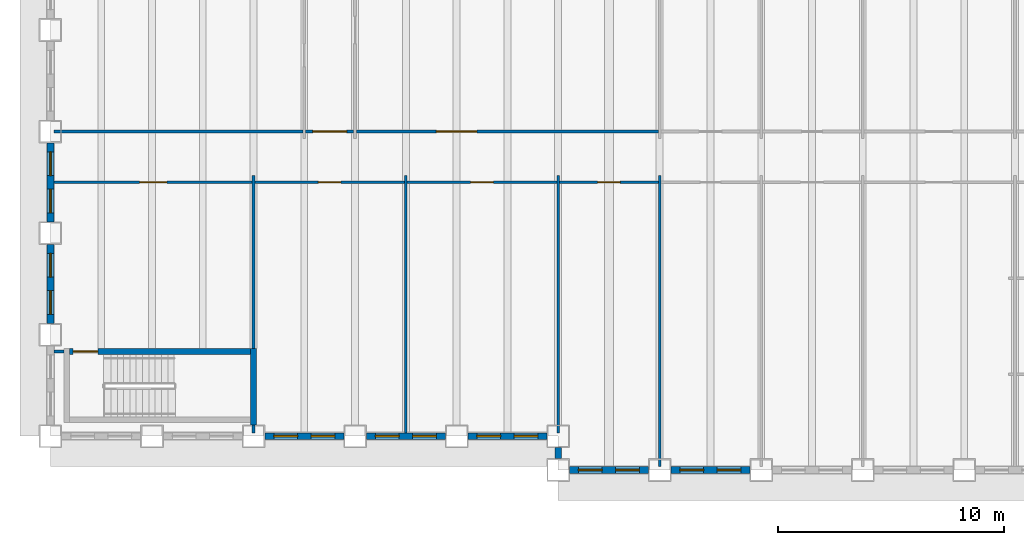
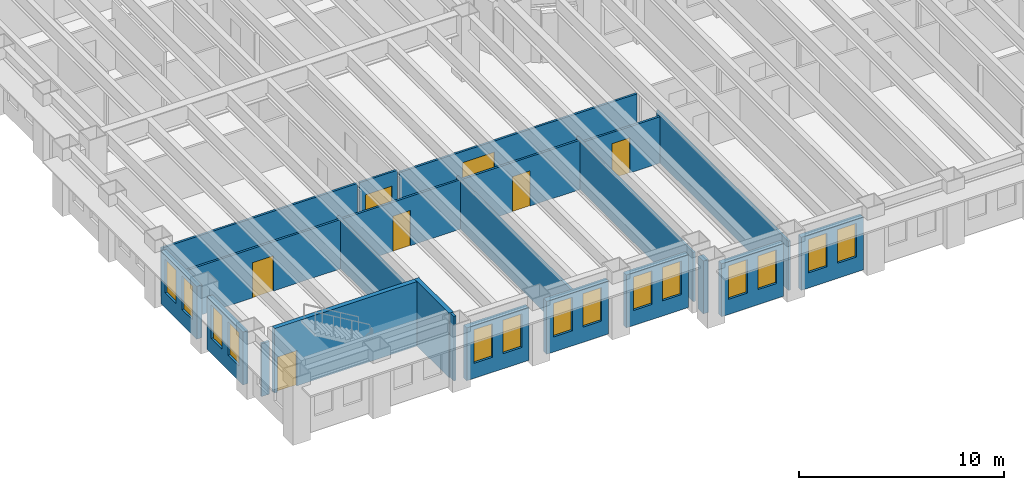
# One storey, part 3 of 16: 23 walls, 14 windows, 7 doors, 21 openings.
"""IFC4 building model written with IfcOpenShell, lengths in metres."""

from ifc_helpers import new_model, si_unit, direction, frame, frame_2d, origin, place, context, subcontext, project, spatial, rectangle, extrude, material, layer, layer_set, type_object, element, fill, save


model = new_model("IFC4")

# Units and contexts
model_context = context("Model", 3, precision=1e-05, world=origin(), true_north=direction((0.0, 1.0)))
body_context = subcontext(model_context, "Body", "Model", "MODEL_VIEW")
ifc_project = project(units=[si_unit("LENGTHUNIT", "METRE"), si_unit("AREAUNIT", "SQUARE_METRE"), si_unit("VOLUMEUNIT", "CUBIC_METRE"), si_unit("PLANEANGLEUNIT", "RADIAN"), si_unit("MASSUNIT", "GRAM", prefix="KILO")], contexts=[model_context])

# Site, building, storey
site_placement = place(None, origin())
site = spatial("IfcSite", under=ifc_project, at=site_placement, CompositionType="ELEMENT")
building_placement = place(site_placement, origin())
building = spatial("IfcBuilding", under=site, at=building_placement, Name="Sennacour Bend Tower", CompositionType="ELEMENT")
storey_placement = place(building_placement, frame((0.0, 0.0, 91.0)))
storey = spatial("IfcBuildingStorey", under=building, at=storey_placement, Name="L20", CompositionType="ELEMENT", Elevation=91.0)

# Walls
ifc_material_1 = material(Name="Plasterboard partition on steel studs", Category="steel")
ifc_layer_1 = layer(ifc_material_1, 0.1201171875, Name="Plasterboard partition on steel studs", Category="steel")
ifc_layer_set_1 = layer_set([ifc_layer_1], Name="Plasterboard partition on steel studs")
wall_type_1 = type_object("IfcWallType", Name="Partition 120", PredefinedType="PARTITIONING", material=ifc_layer_set_1)
wall_1_placement = place(storey_placement, frame((9.0, 0.14990234375, 0.0), z_axis=(0.0, 0.0, 1.0), x_axis=(0.0, 1.0, 0.0)))
element("IfcWall", 1, at=wall_1_placement, inside=storey, type_object=wall_type_1, Name="P-L20-W010a", PredefinedType="PARTITIONING", context=body_context, shape_type="SweptSolid", body=[
    extrude(rectangle(XDim=0.35009765625, YDim=0.1201171875, at=frame_2d((0.175048828125, 0.0))), origin(), (0.0, 0.0, 1.0), 3.85009765625),
])
wall_2_placement = place(storey_placement, frame((9.0, 3.875, 0.0), z_axis=(0.0, 0.0, 1.0), x_axis=(0.0, 1.0, 0.0)))
element("IfcWall", 2, at=wall_2_placement, inside=storey, type_object=wall_type_1, Name="P-L20-W012a", PredefinedType="PARTITIONING", context=body_context, shape_type="SweptSolid", body=[
    extrude(rectangle(XDim=7.675048828125, YDim=0.1201171875, at=frame_2d((3.83740234375, 0.0))), origin(), (0.0, 0.0, 1.0), 2.93798828125),
])
for number, where, z_axis, x_axis, name in (
    (3, (15.75, 0.14990234375, 0.0), (0.0, 0.0, 1.0), (0.0, 1.0, 0.0), "P-L20-W020a"),
    (4, (22.5, 0.14990234375, 0.0), (0.0, 0.0, 1.0), (0.0, 1.0, 0.0), "P-L20-W024a"),
):
    element("IfcWall", number, at=place(storey_placement, frame(where, z_axis=z_axis, x_axis=x_axis)), inside=storey, type_object=wall_type_1, Name=name, PredefinedType="PARTITIONING", context=body_context, shape_type="SweptSolid", body=[
        extrude(rectangle(XDim=11.400146484375, YDim=0.1201171875, at=frame_2d((5.7001953125, 0.0))), origin(), (0.0, 0.0, 1.0), 2.93798828125),
    ])
wall_3_placement = place(storey_placement, frame((27.0, -1.35009765625, 0.0), z_axis=(0.0, 0.0, 1.0), x_axis=(0.0, 1.0, 0.0)))
element("IfcWall", 5, at=wall_3_placement, inside=storey, type_object=wall_type_1, Name="P-L20-W026a", PredefinedType="PARTITIONING", context=body_context, shape_type="SweptSolid", body=[
    extrude(rectangle(XDim=12.900146484375, YDim=0.1201171875, at=frame_2d((6.4501953125, 0.0))), origin(), (0.0, 0.0, 1.0), 2.93798828125),
])
wall_4_placement = place(storey_placement, frame((0.14990234375, 3.75, 0.0), z_axis=(0.0, 0.0, 1.0), x_axis=(1.0, 0.0, 0.0)))
element("IfcWall", 6, at=wall_4_placement, inside=storey, type_object=wall_type_1, Name="P-L20-W050a", PredefinedType="PARTITIONING", context=body_context, shape_type="SweptSolid", body=[
    extrude(rectangle(XDim=0.4501953125, YDim=0.1201171875, at=frame_2d((0.22509765625, 0.0))), origin(), (0.0, 0.0, 1.0), 3.154052734375),
])

# Wall, opening, door
wall_5_placement = place(storey_placement, frame((9.06005859375, 11.25, 0.0), z_axis=(0.0, 0.0, 1.0), x_axis=(1.0, 0.0, 0.0)))
wall_5 = element("IfcWall", 7, at=wall_5_placement, inside=storey, type_object=wall_type_1, Name="P-L20-W058ab", PredefinedType="PARTITIONING", context=body_context, shape_type="SweptSolid", body=[
    extrude(rectangle(XDim=6.6298828125, YDim=0.1201171875, at=frame_2d((3.31494140625, 0.0))), origin(), (0.0, 0.0, 1.0), 2.93798828125),
])
opening_1_placement = place(wall_5_placement, frame((2.81494140625, 0.0, 0.0)))
opening_1 = element("IfcOpeningElement", 8, at=opening_1_placement, cuts=wall_5, Name="Opening OD2", PredefinedType="OPENING", context=body_context, shape_type="SweptSolid", body=[
    extrude(rectangle(XDim=1.0, YDim=2.10009765625, at=frame_2d((0.5, 1.050048828125))), frame((0.0, 0.070068359375, 0.0), z_axis=(0.0, -1.0, 0.0), x_axis=(1.0, 0.0, 0.0)), (0.0, 0.0, 1.0), 0.14013671875),
])
ifc_material_2 = material(Name="Timber", Category="wood")
door_type_1 = type_object("IfcDoorType", Name="DR-OFFICE-1000", OperationType="NOTDEFINED", PredefinedType="DOOR", material=ifc_material_2)
door_1_placement = place(opening_1_placement, origin())
door_1 = element("IfcDoor", 9, at=door_1_placement, inside=storey, type_object=door_type_1, Name="Door", OperationType="SINGLE_SWING_LEFT", OverallHeight=2.10009765625, OverallWidth=1.0, PredefinedType="DOOR", context=body_context, shape_type="SweptSolid", body=[
    extrude(rectangle(XDim=1.0, YDim=2.10009765625, at=frame_2d((0.5, 1.050048828125))), frame((0.0, 0.02490234375, 0.0), z_axis=(0.0, -1.0, 0.0), x_axis=(1.0, 0.0, 0.0)), (0.0, 0.0, 1.0), 0.050048828125),
])
fill(opening_1, door_1)

wall_6_placement = place(storey_placement, frame((15.81005859375, 11.25, 0.0), z_axis=(0.0, 0.0, 1.0), x_axis=(1.0, 0.0, 0.0)))
wall_6 = element("IfcWall", 10, at=wall_6_placement, inside=storey, type_object=wall_type_1, Name="P-L20-W058ac", PredefinedType="PARTITIONING", context=body_context, shape_type="SweptSolid", body=[
    extrude(rectangle(XDim=6.6298828125, YDim=0.1201171875, at=frame_2d((3.31494140625, 0.0))), origin(), (0.0, 0.0, 1.0), 2.93798828125),
])
opening_2_placement = place(wall_6_placement, frame((2.81494140625, 0.0, 0.0)))
opening_2 = element("IfcOpeningElement", 11, at=opening_2_placement, cuts=wall_6, Name="Opening OD2", PredefinedType="OPENING", context=body_context, shape_type="SweptSolid", body=[
    extrude(rectangle(XDim=1.0, YDim=2.10009765625, at=frame_2d((0.5, 1.050048828125))), frame((0.0, 0.070068359375, 0.0), z_axis=(0.0, -1.0, 0.0), x_axis=(1.0, 0.0, 0.0)), (0.0, 0.0, 1.0), 0.14013671875),
])
door_2_placement = place(opening_2_placement, origin())
door_2 = element("IfcDoor", 12, at=door_2_placement, inside=storey, type_object=door_type_1, Name="Door", OperationType="SINGLE_SWING_LEFT", OverallHeight=2.10009765625, OverallWidth=1.0, PredefinedType="DOOR", context=body_context, shape_type="SweptSolid", body=[
    extrude(rectangle(XDim=1.0, YDim=2.10009765625, at=frame_2d((0.5, 1.050048828125))), frame((0.0, 0.02490234375, 0.0), z_axis=(0.0, -1.0, 0.0), x_axis=(1.0, 0.0, 0.0)), (0.0, 0.0, 1.0), 0.050048828125),
])
fill(opening_2, door_2)

wall_7_placement = place(storey_placement, frame((22.56005859375, 11.25, 0.0), z_axis=(0.0, 0.0, 1.0), x_axis=(1.0, 0.0, 0.0)))
wall_7 = element("IfcWall", 13, at=wall_7_placement, inside=storey, type_object=wall_type_1, Name="P-L20-W058ad", PredefinedType="PARTITIONING", context=body_context, shape_type="SweptSolid", body=[
    extrude(rectangle(XDim=4.3798828125, YDim=0.1201171875, at=frame_2d((2.18994140625, 0.0))), origin(), (0.0, 0.0, 1.0), 2.760009765625),
])
opening_3_placement = place(wall_7_placement, frame((1.68994140625, 0.0, 0.0)))
opening_3 = element("IfcOpeningElement", 14, at=opening_3_placement, cuts=wall_7, Name="Opening OD2", PredefinedType="OPENING", context=body_context, shape_type="SweptSolid", body=[
    extrude(rectangle(XDim=1.0, YDim=2.10009765625, at=frame_2d((0.5, 1.050048828125))), frame((0.0, 0.070068359375, 0.0), z_axis=(0.0, -1.0, 0.0), x_axis=(1.0, 0.0, 0.0)), (0.0, 0.0, 1.0), 0.14013671875),
])
door_3_placement = place(opening_3_placement, origin())
door_3 = element("IfcDoor", 15, at=door_3_placement, inside=storey, type_object=door_type_1, Name="Door", OperationType="SINGLE_SWING_LEFT", OverallHeight=2.10009765625, OverallWidth=1.0, PredefinedType="DOOR", context=body_context, shape_type="SweptSolid", body=[
    extrude(rectangle(XDim=1.0, YDim=2.10009765625, at=frame_2d((0.5, 1.050048828125))), frame((0.0, 0.02490234375, 0.0), z_axis=(0.0, -1.0, 0.0), x_axis=(1.0, 0.0, 0.0)), (0.0, 0.0, 1.0), 0.050048828125),
])
fill(opening_3, door_3)

# Wall
wall_8_placement = place(storey_placement, frame((0.14990234375, 13.5, 0.0), z_axis=(0.0, 0.0, 1.0), x_axis=(1.0, 0.0, 0.0)))
element("IfcWall", 16, at=wall_8_placement, inside=storey, type_object=wall_type_1, Name="P-L20-W060aa", PredefinedType="PARTITIONING", context=body_context, shape_type="SweptSolid", body=[
    extrude(rectangle(XDim=11.0400390625, YDim=0.1201171875, at=frame_2d((5.52001953125, 0.0))), origin(), (0.0, 0.0, 1.0), 2.93798828125),
])

# Wall, opening, door
wall_9_placement = place(storey_placement, frame((13.56005859375, 13.5, 0.0), z_axis=(0.0, 0.0, 1.0), x_axis=(1.0, 0.0, 0.0)))
wall_9 = element("IfcWall", 17, at=wall_9_placement, inside=storey, type_object=wall_type_1, Name="P-L20-W060ac", PredefinedType="PARTITIONING", context=body_context, shape_type="SweptSolid", body=[
    extrude(rectangle(XDim=13.3798828125, YDim=0.1201171875, at=frame_2d((6.68994140625, 0.0))), origin(), (0.0, 0.0, 1.0), 2.760009765625),
])
opening_4_placement = place(wall_9_placement, frame((3.539794921875, 0.0, 0.0)))
opening_4 = element("IfcOpeningElement", 18, at=opening_4_placement, cuts=wall_9, Name="Opening OD3", PredefinedType="OPENING", context=body_context, shape_type="SweptSolid", body=[
    extrude(rectangle(XDim=1.800048828125, YDim=2.10009765625, at=frame_2d((0.89990234375, 1.050048828125))), frame((0.0, 0.070068359375, 0.0), z_axis=(0.0, -1.0, 0.0), x_axis=(1.0, 0.0, 0.0)), (0.0, 0.0, 1.0), 0.14013671875),
])
door_type_2 = type_object("IfcDoorType", Name="DR-OFFICE-1800", OperationType="NOTDEFINED", PredefinedType="DOOR", material=ifc_material_2)
door_4_placement = place(opening_4_placement, origin())
door_4 = element("IfcDoor", 19, at=door_4_placement, inside=storey, type_object=door_type_2, Name="Door", OperationType="DOUBLE_DOOR_SINGLE_SWING", OverallHeight=2.10009765625, OverallWidth=1.800048828125, PredefinedType="DOOR", context=body_context, shape_type="SweptSolid", body=[
    extrude(rectangle(XDim=1.800048828125, YDim=2.10009765625, at=frame_2d((0.89990234375, 1.050048828125))), frame((0.0, 0.02490234375, 0.0), z_axis=(0.0, -1.0, 0.0), x_axis=(1.0, 0.0, 0.0)), (0.0, 0.0, 1.0), 0.050048828125),
])
fill(opening_4, door_4)

ifc_layer_2 = layer(ifc_material_1, 0.1201171875, Name="Plasterboard partition on steel studs", Category="steel")
ifc_layer_set_2 = layer_set([ifc_layer_2], Name="Plasterboard partition on steel studs")
wall_type_2 = type_object("IfcWallType", Name="Partition 120 EI 30", PredefinedType="PARTITIONING", material=ifc_layer_set_2)
wall_10_placement = place(storey_placement, frame((0.14990234375, 11.25, 0.0), z_axis=(0.0, 0.0, 1.0), x_axis=(1.0, 0.0, 0.0)))
wall_10 = element("IfcWall", 20, at=wall_10_placement, inside=storey, type_object=wall_type_2, Name="P-L20-W058aa", PredefinedType="PARTITIONING", context=body_context, shape_type="SweptSolid", body=[
    extrude(rectangle(XDim=8.7900390625, YDim=0.1201171875, at=frame_2d((4.39501953125, 0.0))), origin(), (0.0, 0.0, 1.0), 2.93798828125),
])
opening_5_placement = place(wall_10_placement, frame((3.80517578125, 0.0, 0.0)))
opening_5 = element("IfcOpeningElement", 21, at=opening_5_placement, cuts=wall_10, Name="Opening KD2", PredefinedType="OPENING", context=body_context, shape_type="SweptSolid", body=[
    extrude(rectangle(XDim=1.199951171875, YDim=2.10009765625, at=frame_2d((0.60009765625, 1.050048828125))), frame((0.0, 0.070068359375, 0.0), z_axis=(0.0, -1.0, 0.0), x_axis=(1.0, 0.0, 0.0)), (0.0, 0.0, 1.0), 0.14013671875),
])
ifc_material_3 = material(Name="Painted steel", Category="steel")
door_type_3 = type_object("IfcDoorType", Name="DR-CORRIDOR-1200", OperationType="NOTDEFINED", PredefinedType="DOOR", material=ifc_material_3)
door_5_placement = place(opening_5_placement, origin())
door_5 = element("IfcDoor", 22, at=door_5_placement, inside=storey, type_object=door_type_3, Name="Door", OperationType="SINGLE_SWING_LEFT", OverallHeight=2.10009765625, OverallWidth=1.199951171875, PredefinedType="DOOR", context=body_context, shape_type="SweptSolid", body=[
    extrude(rectangle(XDim=1.199951171875, YDim=2.10009765625, at=frame_2d((0.60009765625, 1.050048828125))), frame((0.0, 0.02490234375, 0.0), z_axis=(0.0, -1.0, 0.0), x_axis=(1.0, 0.0, 0.0)), (0.0, 0.0, 1.0), 0.050048828125),
])
fill(opening_5, door_5)

wall_11_placement = place(storey_placement, frame((11.31005859375, 13.5, 0.0), z_axis=(0.0, 0.0, 1.0), x_axis=(1.0, 0.0, 0.0)))
wall_11 = element("IfcWall", 23, at=wall_11_placement, inside=storey, type_object=wall_type_2, Name="P-L20-W060ab", PredefinedType="PARTITIONING", context=body_context, shape_type="SweptSolid", body=[
    extrude(rectangle(XDim=2.1298828125, YDim=0.1201171875, at=frame_2d((1.06494140625, 0.0))), origin(), (0.0, 0.0, 1.0), 2.93798828125),
])
opening_6_placement = place(wall_11_placement, frame((0.31494140625, 0.0, 0.0)))
opening_6 = element("IfcOpeningElement", 24, at=opening_6_placement, cuts=wall_11, Name="Opening KD", PredefinedType="OPENING", context=body_context, shape_type="SweptSolid", body=[
    extrude(rectangle(XDim=1.5, YDim=2.10009765625, at=frame_2d((0.75, 1.050048828125))), frame((0.0, 0.070068359375, 0.0), z_axis=(0.0, -1.0, 0.0), x_axis=(1.0, 0.0, 0.0)), (0.0, 0.0, 1.0), 0.14013671875),
])
door_type_4 = type_object("IfcDoorType", Name="DR-CORRIDOR-1500", OperationType="NOTDEFINED", PredefinedType="DOOR", material=ifc_material_3)
door_6_placement = place(opening_6_placement, origin())
door_6 = element("IfcDoor", 25, at=door_6_placement, inside=storey, type_object=door_type_4, Name="Door", OperationType="SINGLE_SWING_LEFT", OverallHeight=2.10009765625, OverallWidth=1.5, PredefinedType="DOOR", context=body_context, shape_type="SweptSolid", body=[
    extrude(rectangle(XDim=1.5, YDim=2.10009765625, at=frame_2d((0.75, 1.050048828125))), frame((0.0, 0.02490234375, 0.0), z_axis=(0.0, -1.0, 0.0), x_axis=(1.0, 0.0, 0.0)), (0.0, 0.0, 1.0), 0.050048828125),
])
fill(opening_6, door_6)

# Wall, openings, windows
ifc_material_4 = material(Name="Warm limestone cladding", Category="masonry")
ifc_layer_3 = layer(ifc_material_4, 0.050048828125, Name="Warm limestone cladding", Category="masonry")
ifc_material_5 = material(Name="Precast concrete C40/50", Category="concrete")
ifc_layer_4 = layer(ifc_material_5, 0.25, Name="Precast concrete C40/50", Category="concrete")
ifc_layer_set_3 = layer_set([ifc_layer_3, ifc_layer_4], Name="Precast concrete C40/50 with limestone cladding")
wall_type_3 = type_object("IfcWallType", Name="STONE-CLAD PRECAST SPANDREL 300", PredefinedType="STANDARD", material=ifc_layer_set_3)
wall_12_placement = place(storey_placement, frame((23.0, -1.5, 0.0), z_axis=(0.0, 0.0, 1.0), x_axis=(1.0, 0.0, 0.0)))
wall_12 = element("IfcWall", 26, at=wall_12_placement, inside=storey, type_object=wall_type_3, Name="Stone spandrel and pier wall L20 00.00", PredefinedType="STANDARD", context=body_context, shape_type="SweptSolid", body=[
    extrude(rectangle(XDim=3.5, YDim=0.300048828125, at=frame_2d((1.75, 0.0))), origin(), (0.0, 0.0, 1.0), 3.154052734375),
])
opening_7_placement = place(wall_12_placement, frame((0.39990234375, 0.0, 0.89990234375)))
opening_7 = element("IfcOpeningElement", 27, at=opening_7_placement, cuts=wall_12, Name="Opening W13", PredefinedType="OPENING", context=body_context, shape_type="SweptSolid", body=[
    extrude(rectangle(XDim=1.050048828125, YDim=2.0, at=frame_2d((0.52490234375, 1.0))), frame((0.0, 0.16015625, 0.0), z_axis=(0.0, -1.0, 0.0), x_axis=(1.0, 0.0, 0.0)), (0.0, 0.0, 1.0), 0.320068359375),
])
opening_8_placement = place(wall_12_placement, frame((2.050048828125, 0.0, 0.89990234375)))
opening_8 = element("IfcOpeningElement", 28, at=opening_8_placement, cuts=wall_12, Name="Opening W13", PredefinedType="OPENING", context=body_context, shape_type="SweptSolid", body=[
    extrude(rectangle(XDim=1.050048828125, YDim=2.0, at=frame_2d((0.52490234375, 1.0))), frame((0.0, 0.16015625, 0.0), z_axis=(0.0, -1.0, 0.0), x_axis=(1.0, 0.0, 0.0)), (0.0, 0.0, 1.0), 0.320068359375),
])
ifc_material_6 = material(Name="Clear low-emissivity glass", Category="glass")
window_type = type_object("IfcWindowType", Name="WIN-RIBBON-1050x2000", PartitioningType="SINGLE_PANEL", PredefinedType="WINDOW", material=ifc_material_6)
window_1_placement = place(opening_7_placement, origin())
window_1 = element("IfcWindow", 29, at=window_1_placement, inside=storey, type_object=window_type, Name="Ribbon window L20 00.00.0", OverallHeight=2.0, OverallWidth=1.050048828125, PartitioningType="SINGLE_PANEL", PredefinedType="WINDOW", context=body_context, shape_type="SweptSolid", body=[
    extrude(rectangle(XDim=1.050048828125, YDim=2.0, at=frame_2d((0.52490234375, 1.0))), frame((0.0, 0.030029296875, 0.0), z_axis=(0.0, -1.0, 0.0), x_axis=(1.0, 0.0, 0.0)), (0.0, 0.0, 1.0), 0.06005859375),
])
fill(opening_7, window_1)
window_2_placement = place(opening_8_placement, origin())
window_2 = element("IfcWindow", 30, at=window_2_placement, inside=storey, type_object=window_type, Name="Ribbon window L20 00.00.1", OverallHeight=2.0, OverallWidth=1.050048828125, PartitioningType="SINGLE_PANEL", PredefinedType="WINDOW", context=body_context, shape_type="SweptSolid", body=[
    extrude(rectangle(XDim=1.050048828125, YDim=2.0, at=frame_2d((0.52490234375, 1.0))), frame((0.0, 0.030029296875, 0.0), z_axis=(0.0, -1.0, 0.0), x_axis=(1.0, 0.0, 0.0)), (0.0, 0.0, 1.0), 0.06005859375),
])
fill(opening_8, window_2)

wall_13_placement = place(storey_placement, frame((27.5, -1.5, 0.0), z_axis=(0.0, 0.0, 1.0), x_axis=(1.0, 0.0, 0.0)))
wall_13 = element("IfcWall", 31, at=wall_13_placement, inside=storey, type_object=wall_type_3, Name="Stone spandrel and pier wall L20 00.01", PredefinedType="STANDARD", context=body_context, shape_type="SweptSolid", body=[
    extrude(rectangle(XDim=3.5, YDim=0.300048828125, at=frame_2d((1.75, 0.0))), origin(), (0.0, 0.0, 1.0), 3.154052734375),
])
opening_9_placement = place(wall_13_placement, frame((0.39990234375, 0.0, 0.89990234375)))
opening_9 = element("IfcOpeningElement", 32, at=opening_9_placement, cuts=wall_13, Name="Opening W13", PredefinedType="OPENING", context=body_context, shape_type="SweptSolid", body=[
    extrude(rectangle(XDim=1.050048828125, YDim=2.0, at=frame_2d((0.52490234375, 1.0))), frame((0.0, 0.16015625, 0.0), z_axis=(0.0, -1.0, 0.0), x_axis=(1.0, 0.0, 0.0)), (0.0, 0.0, 1.0), 0.320068359375),
])
opening_10_placement = place(wall_13_placement, frame((2.050048828125, 0.0, 0.89990234375)))
opening_10 = element("IfcOpeningElement", 33, at=opening_10_placement, cuts=wall_13, Name="Opening W13", PredefinedType="OPENING", context=body_context, shape_type="SweptSolid", body=[
    extrude(rectangle(XDim=1.050048828125, YDim=2.0, at=frame_2d((0.52490234375, 1.0))), frame((0.0, 0.16015625, 0.0), z_axis=(0.0, -1.0, 0.0), x_axis=(1.0, 0.0, 0.0)), (0.0, 0.0, 1.0), 0.320068359375),
])
window_3_placement = place(opening_9_placement, origin())
window_3 = element("IfcWindow", 34, at=window_3_placement, inside=storey, type_object=window_type, Name="Ribbon window L20 00.01.0", OverallHeight=2.0, OverallWidth=1.050048828125, PartitioningType="SINGLE_PANEL", PredefinedType="WINDOW", context=body_context, shape_type="SweptSolid", body=[
    extrude(rectangle(XDim=1.050048828125, YDim=2.0, at=frame_2d((0.52490234375, 1.0))), frame((0.0, 0.030029296875, 0.0), z_axis=(0.0, -1.0, 0.0), x_axis=(1.0, 0.0, 0.0)), (0.0, 0.0, 1.0), 0.06005859375),
])
fill(opening_9, window_3)
window_4_placement = place(opening_10_placement, origin())
window_4 = element("IfcWindow", 35, at=window_4_placement, inside=storey, type_object=window_type, Name="Ribbon window L20 00.01.1", OverallHeight=2.0, OverallWidth=1.050048828125, PartitioningType="SINGLE_PANEL", PredefinedType="WINDOW", context=body_context, shape_type="SweptSolid", body=[
    extrude(rectangle(XDim=1.050048828125, YDim=2.0, at=frame_2d((0.52490234375, 1.0))), frame((0.0, 0.030029296875, 0.0), z_axis=(0.0, -1.0, 0.0), x_axis=(1.0, 0.0, 0.0)), (0.0, 0.0, 1.0), 0.06005859375),
])
fill(opening_10, window_4)

wall_14_placement = place(storey_placement, frame((0.0, 13.0, 0.0), z_axis=(0.0, 0.0, 1.0), x_axis=(0.0, -1.0, 0.0)))
wall_14 = element("IfcWall", 36, at=wall_14_placement, inside=storey, type_object=wall_type_3, Name="Stone spandrel and pier wall L20 21.02", PredefinedType="STANDARD", context=body_context, shape_type="SweptSolid", body=[
    extrude(rectangle(XDim=3.5, YDim=0.300048828125, at=frame_2d((1.75, 0.0))), origin(), (0.0, 0.0, 1.0), 3.154052734375),
])
opening_11_placement = place(wall_14_placement, frame((0.39990234375, 0.0, 0.89990234375)))
opening_11 = element("IfcOpeningElement", 37, at=opening_11_placement, cuts=wall_14, Name="Opening W13", PredefinedType="OPENING", context=body_context, shape_type="SweptSolid", body=[
    extrude(rectangle(XDim=1.050048828125, YDim=2.0, at=frame_2d((0.52490234375, 1.0))), frame((0.0, 0.16015625, 0.0), z_axis=(0.0, -1.0, 0.0), x_axis=(1.0, 0.0, 0.0)), (0.0, 0.0, 1.0), 0.320068359375),
])
opening_12_placement = place(wall_14_placement, frame((2.050048828125, 0.0, 0.89990234375)))
opening_12 = element("IfcOpeningElement", 38, at=opening_12_placement, cuts=wall_14, Name="Opening W13", PredefinedType="OPENING", context=body_context, shape_type="SweptSolid", body=[
    extrude(rectangle(XDim=1.050048828125, YDim=2.0, at=frame_2d((0.52490234375, 1.0))), frame((0.0, 0.16015625, 0.0), z_axis=(0.0, -1.0, 0.0), x_axis=(1.0, 0.0, 0.0)), (0.0, 0.0, 1.0), 0.320068359375),
])
window_5_placement = place(opening_11_placement, origin())
window_5 = element("IfcWindow", 39, at=window_5_placement, inside=storey, type_object=window_type, Name="Ribbon window L20 21.02.0", OverallHeight=2.0, OverallWidth=1.050048828125, PartitioningType="SINGLE_PANEL", PredefinedType="WINDOW", context=body_context, shape_type="SweptSolid", body=[
    extrude(rectangle(XDim=1.050048828125, YDim=2.0, at=frame_2d((0.52490234375, 1.0))), frame((0.0, 0.030029296875, 0.0), z_axis=(0.0, -1.0, 0.0), x_axis=(1.0, 0.0, 0.0)), (0.0, 0.0, 1.0), 0.06005859375),
])
fill(opening_11, window_5)
window_6_placement = place(opening_12_placement, origin())
window_6 = element("IfcWindow", 40, at=window_6_placement, inside=storey, type_object=window_type, Name="Ribbon window L20 21.02.1", OverallHeight=2.0, OverallWidth=1.050048828125, PartitioningType="SINGLE_PANEL", PredefinedType="WINDOW", context=body_context, shape_type="SweptSolid", body=[
    extrude(rectangle(XDim=1.050048828125, YDim=2.0, at=frame_2d((0.52490234375, 1.0))), frame((0.0, 0.030029296875, 0.0), z_axis=(0.0, -1.0, 0.0), x_axis=(1.0, 0.0, 0.0)), (0.0, 0.0, 1.0), 0.06005859375),
])
fill(opening_12, window_6)

wall_15_placement = place(storey_placement, frame((0.0, 8.5, 0.0), z_axis=(0.0, 0.0, 1.0), x_axis=(0.0, -1.0, 0.0)))
wall_15 = element("IfcWall", 41, at=wall_15_placement, inside=storey, type_object=wall_type_3, Name="Stone spandrel and pier wall L20 21.03", PredefinedType="STANDARD", context=body_context, shape_type="SweptSolid", body=[
    extrude(rectangle(XDim=3.5, YDim=0.300048828125, at=frame_2d((1.75, 0.0))), origin(), (0.0, 0.0, 1.0), 3.154052734375),
])
opening_13_placement = place(wall_15_placement, frame((0.39990234375, 0.0, 0.89990234375)))
opening_13 = element("IfcOpeningElement", 42, at=opening_13_placement, cuts=wall_15, Name="Opening W13", PredefinedType="OPENING", context=body_context, shape_type="SweptSolid", body=[
    extrude(rectangle(XDim=1.050048828125, YDim=2.0, at=frame_2d((0.52490234375, 1.0))), frame((0.0, 0.16015625, 0.0), z_axis=(0.0, -1.0, 0.0), x_axis=(1.0, 0.0, 0.0)), (0.0, 0.0, 1.0), 0.320068359375),
])
opening_14_placement = place(wall_15_placement, frame((2.050048828125, 0.0, 0.89990234375)))
opening_14 = element("IfcOpeningElement", 43, at=opening_14_placement, cuts=wall_15, Name="Opening W13", PredefinedType="OPENING", context=body_context, shape_type="SweptSolid", body=[
    extrude(rectangle(XDim=1.050048828125, YDim=2.0, at=frame_2d((0.52490234375, 1.0))), frame((0.0, 0.16015625, 0.0), z_axis=(0.0, -1.0, 0.0), x_axis=(1.0, 0.0, 0.0)), (0.0, 0.0, 1.0), 0.320068359375),
])
window_7_placement = place(opening_13_placement, origin())
window_7 = element("IfcWindow", 44, at=window_7_placement, inside=storey, type_object=window_type, Name="Ribbon window L20 21.03.0", OverallHeight=2.0, OverallWidth=1.050048828125, PartitioningType="SINGLE_PANEL", PredefinedType="WINDOW", context=body_context, shape_type="SweptSolid", body=[
    extrude(rectangle(XDim=1.050048828125, YDim=2.0, at=frame_2d((0.52490234375, 1.0))), frame((0.0, 0.030029296875, 0.0), z_axis=(0.0, -1.0, 0.0), x_axis=(1.0, 0.0, 0.0)), (0.0, 0.0, 1.0), 0.06005859375),
])
fill(opening_13, window_7)
window_8_placement = place(opening_14_placement, origin())
window_8 = element("IfcWindow", 45, at=window_8_placement, inside=storey, type_object=window_type, Name="Ribbon window L20 21.03.1", OverallHeight=2.0, OverallWidth=1.050048828125, PartitioningType="SINGLE_PANEL", PredefinedType="WINDOW", context=body_context, shape_type="SweptSolid", body=[
    extrude(rectangle(XDim=1.050048828125, YDim=2.0, at=frame_2d((0.52490234375, 1.0))), frame((0.0, 0.030029296875, 0.0), z_axis=(0.0, -1.0, 0.0), x_axis=(1.0, 0.0, 0.0)), (0.0, 0.0, 1.0), 0.06005859375),
])
fill(opening_14, window_8)

wall_16_placement = place(storey_placement, frame((9.5, 0.0, 0.0), z_axis=(0.0, 0.0, 1.0), x_axis=(1.0, 0.0, 0.0)))
wall_16 = element("IfcWall", 46, at=wall_16_placement, inside=storey, type_object=wall_type_3, Name="Stone spandrel and pier wall L20 22.02", PredefinedType="STANDARD", context=body_context, shape_type="SweptSolid", body=[
    extrude(rectangle(XDim=3.5, YDim=0.300048828125, at=frame_2d((1.75, 0.0))), origin(), (0.0, 0.0, 1.0), 3.154052734375),
])
opening_15_placement = place(wall_16_placement, frame((0.39990234375, 0.0, 0.89990234375)))
opening_15 = element("IfcOpeningElement", 47, at=opening_15_placement, cuts=wall_16, Name="Opening W13", PredefinedType="OPENING", context=body_context, shape_type="SweptSolid", body=[
    extrude(rectangle(XDim=1.050048828125, YDim=2.0, at=frame_2d((0.52490234375, 1.0))), frame((0.0, 0.16015625, 0.0), z_axis=(0.0, -1.0, 0.0), x_axis=(1.0, 0.0, 0.0)), (0.0, 0.0, 1.0), 0.320068359375),
])
opening_16_placement = place(wall_16_placement, frame((2.050048828125, 0.0, 0.89990234375)))
opening_16 = element("IfcOpeningElement", 48, at=opening_16_placement, cuts=wall_16, Name="Opening W13", PredefinedType="OPENING", context=body_context, shape_type="SweptSolid", body=[
    extrude(rectangle(XDim=1.050048828125, YDim=2.0, at=frame_2d((0.52490234375, 1.0))), frame((0.0, 0.16015625, 0.0), z_axis=(0.0, -1.0, 0.0), x_axis=(1.0, 0.0, 0.0)), (0.0, 0.0, 1.0), 0.320068359375),
])
window_9_placement = place(opening_15_placement, origin())
window_9 = element("IfcWindow", 49, at=window_9_placement, inside=storey, type_object=window_type, Name="Ribbon window L20 22.02.0", OverallHeight=2.0, OverallWidth=1.050048828125, PartitioningType="SINGLE_PANEL", PredefinedType="WINDOW", context=body_context, shape_type="SweptSolid", body=[
    extrude(rectangle(XDim=1.050048828125, YDim=2.0, at=frame_2d((0.52490234375, 1.0))), frame((0.0, 0.030029296875, 0.0), z_axis=(0.0, -1.0, 0.0), x_axis=(1.0, 0.0, 0.0)), (0.0, 0.0, 1.0), 0.06005859375),
])
fill(opening_15, window_9)
window_10_placement = place(opening_16_placement, origin())
window_10 = element("IfcWindow", 50, at=window_10_placement, inside=storey, type_object=window_type, Name="Ribbon window L20 22.02.1", OverallHeight=2.0, OverallWidth=1.050048828125, PartitioningType="SINGLE_PANEL", PredefinedType="WINDOW", context=body_context, shape_type="SweptSolid", body=[
    extrude(rectangle(XDim=1.050048828125, YDim=2.0, at=frame_2d((0.52490234375, 1.0))), frame((0.0, 0.030029296875, 0.0), z_axis=(0.0, -1.0, 0.0), x_axis=(1.0, 0.0, 0.0)), (0.0, 0.0, 1.0), 0.06005859375),
])
fill(opening_16, window_10)

wall_17_placement = place(storey_placement, frame((14.0, 0.0, 0.0), z_axis=(0.0, 0.0, 1.0), x_axis=(1.0, 0.0, 0.0)))
wall_17 = element("IfcWall", 51, at=wall_17_placement, inside=storey, type_object=wall_type_3, Name="Stone spandrel and pier wall L20 22.03", PredefinedType="STANDARD", context=body_context, shape_type="SweptSolid", body=[
    extrude(rectangle(XDim=3.5, YDim=0.300048828125, at=frame_2d((1.75, 0.0))), origin(), (0.0, 0.0, 1.0), 3.154052734375),
])
opening_17_placement = place(wall_17_placement, frame((0.39990234375, 0.0, 0.89990234375)))
opening_17 = element("IfcOpeningElement", 52, at=opening_17_placement, cuts=wall_17, Name="Opening W13", PredefinedType="OPENING", context=body_context, shape_type="SweptSolid", body=[
    extrude(rectangle(XDim=1.050048828125, YDim=2.0, at=frame_2d((0.52490234375, 1.0))), frame((0.0, 0.16015625, 0.0), z_axis=(0.0, -1.0, 0.0), x_axis=(1.0, 0.0, 0.0)), (0.0, 0.0, 1.0), 0.320068359375),
])
opening_18_placement = place(wall_17_placement, frame((2.050048828125, 0.0, 0.89990234375)))
opening_18 = element("IfcOpeningElement", 53, at=opening_18_placement, cuts=wall_17, Name="Opening W13", PredefinedType="OPENING", context=body_context, shape_type="SweptSolid", body=[
    extrude(rectangle(XDim=1.050048828125, YDim=2.0, at=frame_2d((0.52490234375, 1.0))), frame((0.0, 0.16015625, 0.0), z_axis=(0.0, -1.0, 0.0), x_axis=(1.0, 0.0, 0.0)), (0.0, 0.0, 1.0), 0.320068359375),
])
window_11_placement = place(opening_17_placement, origin())
window_11 = element("IfcWindow", 54, at=window_11_placement, inside=storey, type_object=window_type, Name="Ribbon window L20 22.03.0", OverallHeight=2.0, OverallWidth=1.050048828125, PartitioningType="SINGLE_PANEL", PredefinedType="WINDOW", context=body_context, shape_type="SweptSolid", body=[
    extrude(rectangle(XDim=1.050048828125, YDim=2.0, at=frame_2d((0.52490234375, 1.0))), frame((0.0, 0.030029296875, 0.0), z_axis=(0.0, -1.0, 0.0), x_axis=(1.0, 0.0, 0.0)), (0.0, 0.0, 1.0), 0.06005859375),
])
fill(opening_17, window_11)
window_12_placement = place(opening_18_placement, origin())
window_12 = element("IfcWindow", 55, at=window_12_placement, inside=storey, type_object=window_type, Name="Ribbon window L20 22.03.1", OverallHeight=2.0, OverallWidth=1.050048828125, PartitioningType="SINGLE_PANEL", PredefinedType="WINDOW", context=body_context, shape_type="SweptSolid", body=[
    extrude(rectangle(XDim=1.050048828125, YDim=2.0, at=frame_2d((0.52490234375, 1.0))), frame((0.0, 0.030029296875, 0.0), z_axis=(0.0, -1.0, 0.0), x_axis=(1.0, 0.0, 0.0)), (0.0, 0.0, 1.0), 0.06005859375),
])
fill(opening_18, window_12)

wall_18_placement = place(storey_placement, frame((18.5, 0.0, 0.0), z_axis=(0.0, 0.0, 1.0), x_axis=(1.0, 0.0, 0.0)))
wall_18 = element("IfcWall", 56, at=wall_18_placement, inside=storey, type_object=wall_type_3, Name="Stone spandrel and pier wall L20 22.04", PredefinedType="STANDARD", context=body_context, shape_type="SweptSolid", body=[
    extrude(rectangle(XDim=3.5, YDim=0.300048828125, at=frame_2d((1.75, 0.0))), origin(), (0.0, 0.0, 1.0), 3.154052734375),
])
opening_19_placement = place(wall_18_placement, frame((0.39990234375, 0.0, 0.89990234375)))
opening_19 = element("IfcOpeningElement", 57, at=opening_19_placement, cuts=wall_18, Name="Opening W13", PredefinedType="OPENING", context=body_context, shape_type="SweptSolid", body=[
    extrude(rectangle(XDim=1.050048828125, YDim=2.0, at=frame_2d((0.52490234375, 1.0))), frame((0.0, 0.16015625, 0.0), z_axis=(0.0, -1.0, 0.0), x_axis=(1.0, 0.0, 0.0)), (0.0, 0.0, 1.0), 0.320068359375),
])
opening_20_placement = place(wall_18_placement, frame((2.050048828125, 0.0, 0.89990234375)))
opening_20 = element("IfcOpeningElement", 58, at=opening_20_placement, cuts=wall_18, Name="Opening W13", PredefinedType="OPENING", context=body_context, shape_type="SweptSolid", body=[
    extrude(rectangle(XDim=1.050048828125, YDim=2.0, at=frame_2d((0.52490234375, 1.0))), frame((0.0, 0.16015625, 0.0), z_axis=(0.0, -1.0, 0.0), x_axis=(1.0, 0.0, 0.0)), (0.0, 0.0, 1.0), 0.320068359375),
])
window_13_placement = place(opening_19_placement, origin())
window_13 = element("IfcWindow", 59, at=window_13_placement, inside=storey, type_object=window_type, Name="Ribbon window L20 22.04.0", OverallHeight=2.0, OverallWidth=1.050048828125, PartitioningType="SINGLE_PANEL", PredefinedType="WINDOW", context=body_context, shape_type="SweptSolid", body=[
    extrude(rectangle(XDim=1.050048828125, YDim=2.0, at=frame_2d((0.52490234375, 1.0))), frame((0.0, 0.030029296875, 0.0), z_axis=(0.0, -1.0, 0.0), x_axis=(1.0, 0.0, 0.0)), (0.0, 0.0, 1.0), 0.06005859375),
])
fill(opening_19, window_13)
window_14_placement = place(opening_20_placement, origin())
window_14 = element("IfcWindow", 60, at=window_14_placement, inside=storey, type_object=window_type, Name="Ribbon window L20 22.04.1", OverallHeight=2.0, OverallWidth=1.050048828125, PartitioningType="SINGLE_PANEL", PredefinedType="WINDOW", context=body_context, shape_type="SweptSolid", body=[
    extrude(rectangle(XDim=1.050048828125, YDim=2.0, at=frame_2d((0.52490234375, 1.0))), frame((0.0, 0.030029296875, 0.0), z_axis=(0.0, -1.0, 0.0), x_axis=(1.0, 0.0, 0.0)), (0.0, 0.0, 1.0), 0.06005859375),
])
fill(opening_20, window_14)

# Walls
wall_19_placement = place(storey_placement, frame((22.5, -0.5, 0.0), z_axis=(0.0, 0.0, 1.0), x_axis=(0.0, -1.0, 0.0)))
element("IfcWall", 61, at=wall_19_placement, inside=storey, type_object=wall_type_3, Name="Stone spandrel and pier wall L20 23.00", PredefinedType="STANDARD", context=body_context, shape_type="SweptSolid", body=[
    extrude(rectangle(XDim=0.5, YDim=0.300048828125, at=frame_2d((0.25, 0.0))), origin(), (0.0, 0.0, 1.0), 3.154052734375),
])
ifc_material_7 = material(Name="Concrete C60/75", Category="concrete")
ifc_layer_5 = layer(ifc_material_7, 0.25, Name="Concrete C60/75", Category="concrete")
ifc_layer_set_4 = layer_set([ifc_layer_5], Name="Concrete C60/75")
wall_type_4 = type_object("IfcWallType", Name="Stair wall 250", PredefinedType="SHEAR", material=ifc_layer_set_4)
wall_20_placement = place(storey_placement, frame((9.0, 0.5, 0.0), z_axis=(0.0, 0.0, 1.0), x_axis=(0.0, 1.0, 0.0)))
element("IfcWall", 62, at=wall_20_placement, inside=storey, type_object=wall_type_4, Name="P-L20-W011", PredefinedType="SHEAR", context=body_context, shape_type="SweptSolid", body=[
    extrude(rectangle(XDim=3.375, YDim=0.25, at=frame_2d((1.6875, 0.0))), origin(), (0.0, 0.0, 1.0), 3.85009765625),
])

# Wall, opening, door
wall_21_placement = place(storey_placement, frame((0.85009765625, 3.75, 0.0), z_axis=(0.0, 0.0, 1.0), x_axis=(1.0, 0.0, 0.0)))
wall_21 = element("IfcWall", 63, at=wall_21_placement, inside=storey, type_object=wall_type_4, Name="P-L20-W051", PredefinedType="SHEAR", context=body_context, shape_type="SweptSolid", body=[
    extrude(rectangle(XDim=8.02490234375, YDim=0.25, at=frame_2d((4.012451171875, 0.0))), origin(), (0.0, 0.0, 1.0), 3.85009765625),
])
opening_21_placement = place(wall_21_placement, frame((0.14990234375, 0.0, 0.0)))
opening_21 = element("IfcOpeningElement", 64, at=opening_21_placement, cuts=wall_21, Name="Opening SD", PredefinedType="OPENING", context=body_context, shape_type="SweptSolid", body=[
    extrude(rectangle(XDim=1.10009765625, YDim=2.10009765625, at=frame_2d((0.550048828125, 1.050048828125))), frame((0.0, 0.135009765625, 0.0), z_axis=(0.0, -1.0, 0.0), x_axis=(1.0, 0.0, 0.0)), (0.0, 0.0, 1.0), 0.27001953125),
])
door_type_5 = type_object("IfcDoorType", Name="DR-STAIR-1100", OperationType="NOTDEFINED", PredefinedType="DOOR", material=ifc_material_3)
door_7_placement = place(opening_21_placement, origin())
door_7 = element("IfcDoor", 65, at=door_7_placement, inside=storey, type_object=door_type_5, Name="Door", OperationType="SINGLE_SWING_LEFT", OverallHeight=2.10009765625, OverallWidth=1.10009765625, PredefinedType="DOOR", context=body_context, shape_type="SweptSolid", body=[
    extrude(rectangle(XDim=1.10009765625, YDim=2.10009765625, at=frame_2d((0.550048828125, 1.050048828125))), frame((0.0, 0.02490234375, 0.0), z_axis=(0.0, -1.0, 0.0), x_axis=(1.0, 0.0, 0.0)), (0.0, 0.0, 1.0), 0.050048828125),
])
fill(opening_21, door_7)

save(model, "model.ifc")
